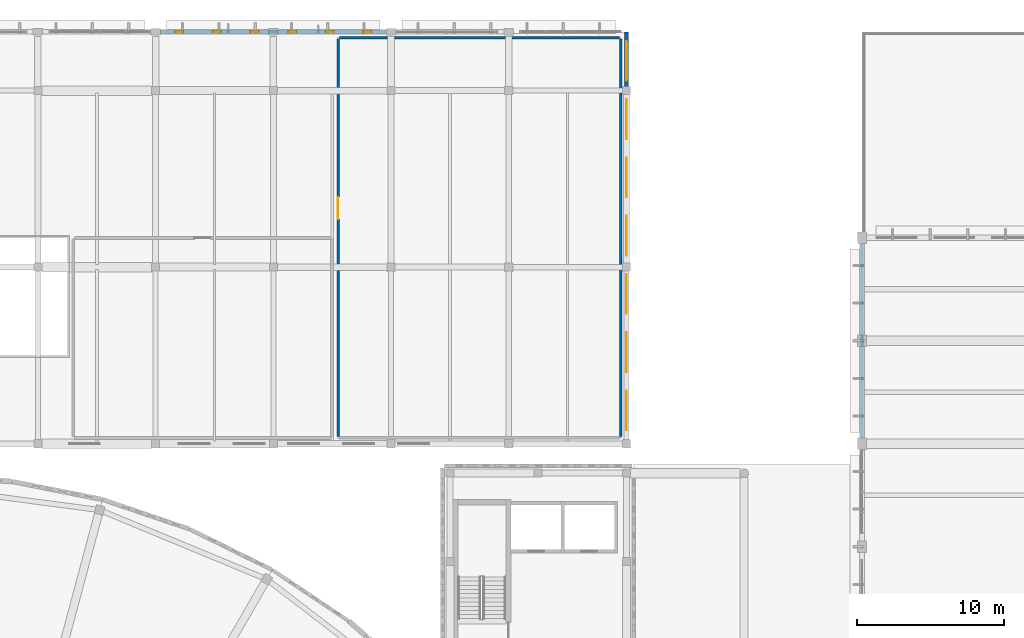
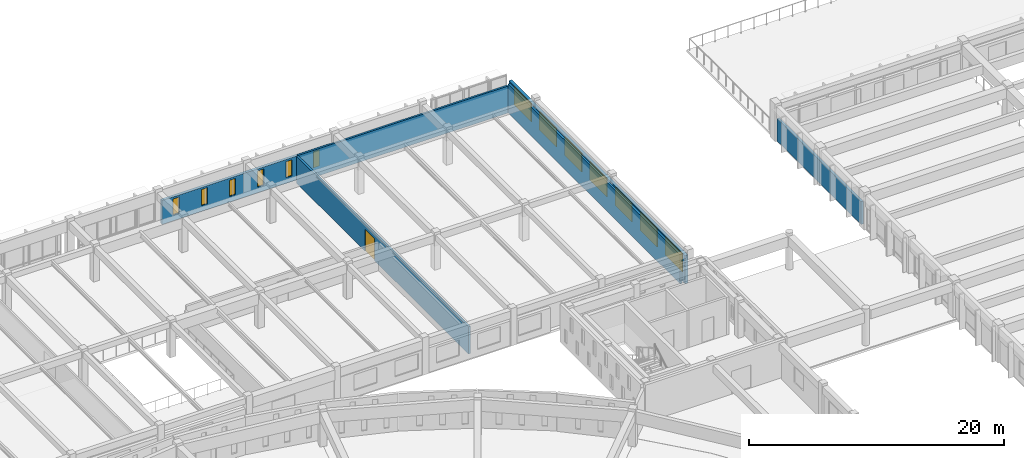
# One storey, part 122 of 155: 13 windows, 6 walls, 1 door, 14 openings.
"""IFC4 building model written with IfcOpenShell, lengths in metres."""

from ifc_helpers import new_model, si_unit, direction, frame, frame_2d, origin, place, context, subcontext, project, spatial, rectangle, extrude, material, layer, layer_set, type_object, element, fill, save


model = new_model("IFC4")

# Units and contexts
model_context = context("Model", 3, precision=1e-05, world=origin(), true_north=direction((0.0, 1.0)))
body_context = subcontext(model_context, "Body", "Model", "MODEL_VIEW")
ifc_project = project(units=[si_unit("LENGTHUNIT", "METRE"), si_unit("AREAUNIT", "SQUARE_METRE"), si_unit("VOLUMEUNIT", "CUBIC_METRE"), si_unit("PLANEANGLEUNIT", "RADIAN"), si_unit("MASSUNIT", "GRAM", prefix="KILO")], contexts=[model_context])

# Site, building, storey
site_placement = place(None, origin())
site = spatial("IfcSite", under=ifc_project, at=site_placement, CompositionType="ELEMENT")
building_placement = place(site_placement, origin())
building = spatial("IfcBuilding", under=site, at=building_placement, Name="Larkveld Mobility Hub", CompositionType="ELEMENT")
storey_placement = place(building_placement, frame((0.0, 0.0, 8.39990234375)))
storey = spatial("IfcBuildingStorey", under=building, at=storey_placement, Name="L02", CompositionType="ELEMENT", Elevation=8.39990234375)

# Wall
ifc_material_1 = material(Name="Glazed architectural ceramic masonry 20 MPa", Category="masonry")
ifc_layer_1 = layer(ifc_material_1, 0.2099609375, Name="Glazed architectural ceramic masonry 20 MPa", Category="masonry")
ifc_layer_set_1 = layer_set([ifc_layer_1], Name="Glazed architectural ceramic masonry 20 MPa")
wall_type_1 = type_object("IfcWallType", Name="WL-COB-210", PredefinedType="USERDEFINED", material=ifc_layer_set_1)
wall_1_placement = place(storey_placement, frame((112.0, 111.590087890625, 0.0), z_axis=(0.0, 0.0, 1.0), x_axis=(0.0, -1.0, 0.0)))
element("IfcWall", 1, at=wall_1_placement, inside=storey, type_object=wall_type_1, Name="EV Wing West Ventilated Facade L02-0232", ObjectType="CERAMIC COBOGO SCREEN", PredefinedType="USERDEFINED", context=body_context, shape_type="SweptSolid", body=[
    extrude(rectangle(XDim=13.18017578125, YDim=0.2099609375, at=frame_2d((6.590087890625, 0.0))), origin(), (0.0, 0.0, 1.0), 2.195068359375),
])

# Wall, openings, windows
ifc_layer_2 = layer(ifc_material_1, 0.2451171875, Name="Glazed architectural ceramic masonry 20 MPa", Category="masonry")
ifc_layer_set_2 = layer_set([ifc_layer_2], Name="Glazed architectural ceramic masonry 20 MPa")
wall_type_2 = type_object("IfcWallType", Name="WL-COB-245", PredefinedType="USERDEFINED", material=ifc_layer_set_2)
wall_2_placement = place(storey_placement, frame((79.6650390625, 126.0, 0.0), z_axis=(0.0, 0.0, 1.0), x_axis=(-1.0, 0.0, 0.0)))
wall_2 = element("IfcWall", 2, at=wall_2_placement, inside=storey, type_object=wall_type_2, Name="Bicycle Hall Ceramic Cobogo Screen L02-0194", ObjectType="CERAMIC COBOGO SCREEN", PredefinedType="USERDEFINED", context=body_context, shape_type="SweptSolid", body=[
    extrude(rectangle(XDim=15.330078125, YDim=0.2451171875, at=frame_2d((7.6650390625, 0.0))), origin(), (0.0, 0.0, 1.0), 2.295166015625),
])
opening_1_placement = place(wall_2_placement, frame((0.998046875, 0.0, 0.544921875)))
opening_1 = element("IfcOpeningElement", 3, at=opening_1_placement, cuts=wall_2, Name="Opening W04", PredefinedType="OPENING", context=body_context, shape_type="SweptSolid", body=[
    extrude(rectangle(XDim=0.56005859375, YDim=1.550048828125, at=frame_2d((0.280029296875, 0.77490234375))), frame((0.0, 0.132568359375, 0.0), z_axis=(0.0, -1.0, 0.0), x_axis=(1.0, 0.0, 0.0)), (0.0, 0.0, 1.0), 0.26513671875),
])
opening_2_placement = place(wall_2_placement, frame((3.552978515625, 0.0, 0.544921875)))
opening_2 = element("IfcOpeningElement", 4, at=opening_2_placement, cuts=wall_2, Name="Opening W04", PredefinedType="OPENING", context=body_context, shape_type="SweptSolid", body=[
    extrude(rectangle(XDim=0.56005859375, YDim=1.550048828125, at=frame_2d((0.280029296875, 0.77490234375))), frame((0.0, 0.132568359375, 0.0), z_axis=(0.0, -1.0, 0.0), x_axis=(1.0, 0.0, 0.0)), (0.0, 0.0, 1.0), 0.26513671875),
])
opening_3_placement = place(wall_2_placement, frame((6.10791015625, 0.0, 0.544921875)))
opening_3 = element("IfcOpeningElement", 5, at=opening_3_placement, cuts=wall_2, Name="Opening W04", PredefinedType="OPENING", context=body_context, shape_type="SweptSolid", body=[
    extrude(rectangle(XDim=0.56005859375, YDim=1.550048828125, at=frame_2d((0.280029296875, 0.77490234375))), frame((0.0, 0.132568359375, 0.0), z_axis=(0.0, -1.0, 0.0), x_axis=(1.0, 0.0, 0.0)), (0.0, 0.0, 1.0), 0.26513671875),
])
opening_4_placement = place(wall_2_placement, frame((8.6630859375, 0.0, 0.544921875)))
opening_4 = element("IfcOpeningElement", 6, at=opening_4_placement, cuts=wall_2, Name="Opening W04", PredefinedType="OPENING", context=body_context, shape_type="SweptSolid", body=[
    extrude(rectangle(XDim=0.56005859375, YDim=1.550048828125, at=frame_2d((0.280029296875, 0.77490234375))), frame((0.0, 0.132568359375, 0.0), z_axis=(0.0, -1.0, 0.0), x_axis=(1.0, 0.0, 0.0)), (0.0, 0.0, 1.0), 0.26513671875),
])
opening_5_placement = place(wall_2_placement, frame((11.218017578125, 0.0, 0.544921875)))
opening_5 = element("IfcOpeningElement", 7, at=opening_5_placement, cuts=wall_2, Name="Opening W04", PredefinedType="OPENING", context=body_context, shape_type="SweptSolid", body=[
    extrude(rectangle(XDim=0.56005859375, YDim=1.550048828125, at=frame_2d((0.280029296875, 0.77490234375))), frame((0.0, 0.132568359375, 0.0), z_axis=(0.0, -1.0, 0.0), x_axis=(1.0, 0.0, 0.0)), (0.0, 0.0, 1.0), 0.26513671875),
])
opening_6_placement = place(wall_2_placement, frame((13.77294921875, 0.0, 0.544921875)))
opening_6 = element("IfcOpeningElement", 8, at=opening_6_placement, cuts=wall_2, Name="Opening W04", PredefinedType="OPENING", context=body_context, shape_type="SweptSolid", body=[
    extrude(rectangle(XDim=0.56005859375, YDim=1.550048828125, at=frame_2d((0.280029296875, 0.77490234375))), frame((0.0, 0.132568359375, 0.0), z_axis=(0.0, -1.0, 0.0), x_axis=(1.0, 0.0, 0.0)), (0.0, 0.0, 1.0), 0.26513671875),
])
ifc_material_2 = material(Name="Extruded aluminium cobogo vent frame", Category="aluminium")
window_type_1 = type_object("IfcWindowType", Name="WN-VENT-04", PartitioningType="SINGLE_PANEL", PredefinedType="WINDOW", material=ifc_material_2)
window_1_placement = place(opening_1_placement, origin())
window_1 = element("IfcWindow", 9, at=window_1_placement, inside=storey, type_object=window_type_1, Name="Window W04 (0927)", OverallHeight=1.550048828125, OverallWidth=0.56005859375, PartitioningType="SINGLE_PANEL", PredefinedType="WINDOW", context=body_context, shape_type="SweptSolid", body=[
    extrude(rectangle(XDim=0.56005859375, YDim=1.550048828125, at=frame_2d((0.280029296875, 0.77490234375))), frame((0.0, 0.030029296875, 0.0), z_axis=(0.0, -1.0, 0.0), x_axis=(1.0, 0.0, 0.0)), (0.0, 0.0, 1.0), 0.06005859375),
])
fill(opening_1, window_1)
window_2_placement = place(opening_2_placement, origin())
window_2 = element("IfcWindow", 10, at=window_2_placement, inside=storey, type_object=window_type_1, Name="Window W04 (0928)", OverallHeight=1.550048828125, OverallWidth=0.56005859375, PartitioningType="SINGLE_PANEL", PredefinedType="WINDOW", context=body_context, shape_type="SweptSolid", body=[
    extrude(rectangle(XDim=0.56005859375, YDim=1.550048828125, at=frame_2d((0.280029296875, 0.77490234375))), frame((0.0, 0.030029296875, 0.0), z_axis=(0.0, -1.0, 0.0), x_axis=(1.0, 0.0, 0.0)), (0.0, 0.0, 1.0), 0.06005859375),
])
fill(opening_2, window_2)
window_3_placement = place(opening_3_placement, origin())
window_3 = element("IfcWindow", 11, at=window_3_placement, inside=storey, type_object=window_type_1, Name="Window W04 (0929)", OverallHeight=1.550048828125, OverallWidth=0.56005859375, PartitioningType="SINGLE_PANEL", PredefinedType="WINDOW", context=body_context, shape_type="SweptSolid", body=[
    extrude(rectangle(XDim=0.56005859375, YDim=1.550048828125, at=frame_2d((0.280029296875, 0.77490234375))), frame((0.0, 0.030029296875, 0.0), z_axis=(0.0, -1.0, 0.0), x_axis=(1.0, 0.0, 0.0)), (0.0, 0.0, 1.0), 0.06005859375),
])
fill(opening_3, window_3)
window_4_placement = place(opening_4_placement, origin())
window_4 = element("IfcWindow", 12, at=window_4_placement, inside=storey, type_object=window_type_1, Name="Window W04 (0930)", OverallHeight=1.550048828125, OverallWidth=0.56005859375, PartitioningType="SINGLE_PANEL", PredefinedType="WINDOW", context=body_context, shape_type="SweptSolid", body=[
    extrude(rectangle(XDim=0.56005859375, YDim=1.550048828125, at=frame_2d((0.280029296875, 0.77490234375))), frame((0.0, 0.030029296875, 0.0), z_axis=(0.0, -1.0, 0.0), x_axis=(1.0, 0.0, 0.0)), (0.0, 0.0, 1.0), 0.06005859375),
])
fill(opening_4, window_4)
window_5_placement = place(opening_5_placement, origin())
window_5 = element("IfcWindow", 13, at=window_5_placement, inside=storey, type_object=window_type_1, Name="Window W04 (0931)", OverallHeight=1.550048828125, OverallWidth=0.56005859375, PartitioningType="SINGLE_PANEL", PredefinedType="WINDOW", context=body_context, shape_type="SweptSolid", body=[
    extrude(rectangle(XDim=0.56005859375, YDim=1.550048828125, at=frame_2d((0.280029296875, 0.77490234375))), frame((0.0, 0.030029296875, 0.0), z_axis=(0.0, -1.0, 0.0), x_axis=(1.0, 0.0, 0.0)), (0.0, 0.0, 1.0), 0.06005859375),
])
fill(opening_5, window_5)
window_6_placement = place(opening_6_placement, origin())
window_6 = element("IfcWindow", 14, at=window_6_placement, inside=storey, type_object=window_type_1, Name="Window W04 (0932)", OverallHeight=1.550048828125, OverallWidth=0.56005859375, PartitioningType="SINGLE_PANEL", PredefinedType="WINDOW", context=body_context, shape_type="SweptSolid", body=[
    extrude(rectangle(XDim=0.56005859375, YDim=1.550048828125, at=frame_2d((0.280029296875, 0.77490234375))), frame((0.0, 0.030029296875, 0.0), z_axis=(0.0, -1.0, 0.0), x_axis=(1.0, 0.0, 0.0)), (0.0, 0.0, 1.0), 0.06005859375),
])
fill(opening_6, window_6)

ifc_material_3 = material(Name="Precast concrete C50/60", Category="concrete")
ifc_layer_3 = layer(ifc_material_3, 0.27001953125, Name="Precast concrete C50/60", Category="concrete")
ifc_layer_set_3 = layer_set([ifc_layer_3], Name="Precast concrete C50/60")
wall_type_3 = type_object("IfcWallType", Name="WL-EXT-270", PredefinedType="SOLIDWALL", material=ifc_layer_set_3)
wall_3_placement = place(storey_placement, frame((96.0, 98.284912109375, 0.0), z_axis=(0.0, 0.0, 1.0), x_axis=(0.0, 1.0, 0.0)))
wall_3 = element("IfcWall", 15, at=wall_3_placement, inside=storey, type_object=wall_type_3, Name="Bicycle Hall East End Wall L02-0197", PredefinedType="SOLIDWALL", context=body_context, shape_type="SweptSolid", body=[
    extrude(rectangle(XDim=27.715087890625, YDim=0.27001953125, at=frame_2d((13.857421875, 0.0))), origin(), (0.0, 0.0, 1.0), 2.695068359375),
])
opening_7_placement = place(wall_3_placement, frame((0.6298828125, 0.0, 0.695068359375)))
opening_7 = element("IfcOpeningElement", 16, at=opening_7_placement, cuts=wall_3, Name="Opening W15", PredefinedType="OPENING", context=body_context, shape_type="SweptSolid", body=[
    extrude(rectangle(XDim=2.699951171875, YDim=1.800048828125, at=frame_2d((1.35009765625, 0.89990234375))), frame((0.0, 0.14501953125, 0.0), z_axis=(0.0, -1.0, 0.0), x_axis=(1.0, 0.0, 0.0)), (0.0, 0.0, 1.0), 0.2900390625),
])
opening_8_placement = place(wall_3_placement, frame((4.589111328125, 0.0, 0.695068359375)))
opening_8 = element("IfcOpeningElement", 17, at=opening_8_placement, cuts=wall_3, Name="Opening W15", PredefinedType="OPENING", context=body_context, shape_type="SweptSolid", body=[
    extrude(rectangle(XDim=2.699951171875, YDim=1.800048828125, at=frame_2d((1.35009765625, 0.89990234375))), frame((0.0, 0.14501953125, 0.0), z_axis=(0.0, -1.0, 0.0), x_axis=(1.0, 0.0, 0.0)), (0.0, 0.0, 1.0), 0.2900390625),
])
opening_9_placement = place(wall_3_placement, frame((8.548095703125, 0.0, 0.695068359375)))
opening_9 = element("IfcOpeningElement", 18, at=opening_9_placement, cuts=wall_3, Name="Opening W15", PredefinedType="OPENING", context=body_context, shape_type="SweptSolid", body=[
    extrude(rectangle(XDim=2.699951171875, YDim=1.800048828125, at=frame_2d((1.35009765625, 0.89990234375))), frame((0.0, 0.14501953125, 0.0), z_axis=(0.0, -1.0, 0.0), x_axis=(1.0, 0.0, 0.0)), (0.0, 0.0, 1.0), 0.2900390625),
])
opening_10_placement = place(wall_3_placement, frame((12.508056640625, 0.0, 0.695068359375)))
opening_10 = element("IfcOpeningElement", 19, at=opening_10_placement, cuts=wall_3, Name="Opening W15", PredefinedType="OPENING", context=body_context, shape_type="SweptSolid", body=[
    extrude(rectangle(XDim=2.699951171875, YDim=1.800048828125, at=frame_2d((1.35009765625, 0.89990234375))), frame((0.0, 0.14501953125, 0.0), z_axis=(0.0, -1.0, 0.0), x_axis=(1.0, 0.0, 0.0)), (0.0, 0.0, 1.0), 0.2900390625),
])
opening_11_placement = place(wall_3_placement, frame((16.467041015625, 0.0, 0.695068359375)))
opening_11 = element("IfcOpeningElement", 20, at=opening_11_placement, cuts=wall_3, Name="Opening W15", PredefinedType="OPENING", context=body_context, shape_type="SweptSolid", body=[
    extrude(rectangle(XDim=2.699951171875, YDim=1.800048828125, at=frame_2d((1.35009765625, 0.89990234375))), frame((0.0, 0.14501953125, 0.0), z_axis=(0.0, -1.0, 0.0), x_axis=(1.0, 0.0, 0.0)), (0.0, 0.0, 1.0), 0.2900390625),
])
opening_12_placement = place(wall_3_placement, frame((20.426025390625, 0.0, 0.695068359375)))
opening_12 = element("IfcOpeningElement", 21, at=opening_12_placement, cuts=wall_3, Name="Opening W15", PredefinedType="OPENING", context=body_context, shape_type="SweptSolid", body=[
    extrude(rectangle(XDim=2.699951171875, YDim=1.800048828125, at=frame_2d((1.35009765625, 0.89990234375))), frame((0.0, 0.14501953125, 0.0), z_axis=(0.0, -1.0, 0.0), x_axis=(1.0, 0.0, 0.0)), (0.0, 0.0, 1.0), 0.2900390625),
])
opening_13_placement = place(wall_3_placement, frame((24.385009765625, 0.0, 0.695068359375)))
opening_13 = element("IfcOpeningElement", 22, at=opening_13_placement, cuts=wall_3, Name="Opening W15", PredefinedType="OPENING", context=body_context, shape_type="SweptSolid", body=[
    extrude(rectangle(XDim=2.699951171875, YDim=1.800048828125, at=frame_2d((1.35009765625, 0.89990234375))), frame((0.0, 0.14501953125, 0.0), z_axis=(0.0, -1.0, 0.0), x_axis=(1.0, 0.0, 0.0)), (0.0, 0.0, 1.0), 0.2900390625),
])
ifc_material_4 = material(Name="Low-E double glazing in aluminium frame", Category="aluminium")
window_type_2 = type_object("IfcWindowType", Name="WN-ALU-15", PartitioningType="SINGLE_PANEL", PredefinedType="WINDOW", material=ifc_material_4)
window_7_placement = place(opening_7_placement, origin())
window_7 = element("IfcWindow", 23, at=window_7_placement, inside=storey, type_object=window_type_2, Name="Window W15 (0952)", OverallHeight=1.800048828125, OverallWidth=2.699951171875, PartitioningType="SINGLE_PANEL", PredefinedType="WINDOW", context=body_context, shape_type="SweptSolid", body=[
    extrude(rectangle(XDim=2.699951171875, YDim=1.800048828125, at=frame_2d((1.35009765625, 0.89990234375))), frame((0.0, 0.030029296875, 0.0), z_axis=(0.0, -1.0, 0.0), x_axis=(1.0, 0.0, 0.0)), (0.0, 0.0, 1.0), 0.06005859375),
])
fill(opening_7, window_7)
window_8_placement = place(opening_8_placement, origin())
window_8 = element("IfcWindow", 24, at=window_8_placement, inside=storey, type_object=window_type_2, Name="Window W15 (0953)", OverallHeight=1.800048828125, OverallWidth=2.699951171875, PartitioningType="SINGLE_PANEL", PredefinedType="WINDOW", context=body_context, shape_type="SweptSolid", body=[
    extrude(rectangle(XDim=2.699951171875, YDim=1.800048828125, at=frame_2d((1.35009765625, 0.89990234375))), frame((0.0, 0.030029296875, 0.0), z_axis=(0.0, -1.0, 0.0), x_axis=(1.0, 0.0, 0.0)), (0.0, 0.0, 1.0), 0.06005859375),
])
fill(opening_8, window_8)
window_9_placement = place(opening_9_placement, origin())
window_9 = element("IfcWindow", 25, at=window_9_placement, inside=storey, type_object=window_type_2, Name="Window W15 (0954)", OverallHeight=1.800048828125, OverallWidth=2.699951171875, PartitioningType="SINGLE_PANEL", PredefinedType="WINDOW", context=body_context, shape_type="SweptSolid", body=[
    extrude(rectangle(XDim=2.699951171875, YDim=1.800048828125, at=frame_2d((1.35009765625, 0.89990234375))), frame((0.0, 0.030029296875, 0.0), z_axis=(0.0, -1.0, 0.0), x_axis=(1.0, 0.0, 0.0)), (0.0, 0.0, 1.0), 0.06005859375),
])
fill(opening_9, window_9)
window_10_placement = place(opening_10_placement, origin())
window_10 = element("IfcWindow", 26, at=window_10_placement, inside=storey, type_object=window_type_2, Name="Window W15 (0955)", OverallHeight=1.800048828125, OverallWidth=2.699951171875, PartitioningType="SINGLE_PANEL", PredefinedType="WINDOW", context=body_context, shape_type="SweptSolid", body=[
    extrude(rectangle(XDim=2.699951171875, YDim=1.800048828125, at=frame_2d((1.35009765625, 0.89990234375))), frame((0.0, 0.030029296875, 0.0), z_axis=(0.0, -1.0, 0.0), x_axis=(1.0, 0.0, 0.0)), (0.0, 0.0, 1.0), 0.06005859375),
])
fill(opening_10, window_10)
window_11_placement = place(opening_11_placement, origin())
window_11 = element("IfcWindow", 27, at=window_11_placement, inside=storey, type_object=window_type_2, Name="Window W15 (0956)", OverallHeight=1.800048828125, OverallWidth=2.699951171875, PartitioningType="SINGLE_PANEL", PredefinedType="WINDOW", context=body_context, shape_type="SweptSolid", body=[
    extrude(rectangle(XDim=2.699951171875, YDim=1.800048828125, at=frame_2d((1.35009765625, 0.89990234375))), frame((0.0, 0.030029296875, 0.0), z_axis=(0.0, -1.0, 0.0), x_axis=(1.0, 0.0, 0.0)), (0.0, 0.0, 1.0), 0.06005859375),
])
fill(opening_11, window_11)
window_12_placement = place(opening_12_placement, origin())
window_12 = element("IfcWindow", 28, at=window_12_placement, inside=storey, type_object=window_type_2, Name="Window W15 (0957)", OverallHeight=1.800048828125, OverallWidth=2.699951171875, PartitioningType="SINGLE_PANEL", PredefinedType="WINDOW", context=body_context, shape_type="SweptSolid", body=[
    extrude(rectangle(XDim=2.699951171875, YDim=1.800048828125, at=frame_2d((1.35009765625, 0.89990234375))), frame((0.0, 0.030029296875, 0.0), z_axis=(0.0, -1.0, 0.0), x_axis=(1.0, 0.0, 0.0)), (0.0, 0.0, 1.0), 0.06005859375),
])
fill(opening_12, window_12)
window_13_placement = place(opening_13_placement, origin())
window_13 = element("IfcWindow", 29, at=window_13_placement, inside=storey, type_object=window_type_2, Name="Window W15 (0958)", OverallHeight=1.800048828125, OverallWidth=2.699951171875, PartitioningType="SINGLE_PANEL", PredefinedType="WINDOW", context=body_context, shape_type="SweptSolid", body=[
    extrude(rectangle(XDim=2.699951171875, YDim=1.800048828125, at=frame_2d((1.35009765625, 0.89990234375))), frame((0.0, 0.030029296875, 0.0), z_axis=(0.0, -1.0, 0.0), x_axis=(1.0, 0.0, 0.0)), (0.0, 0.0, 1.0), 0.06005859375),
])
fill(opening_13, window_13)

# Wall
ifc_material_5 = material(Name="Concrete blockwork masonry 14 MPa", Category="masonry")
ifc_layer_4 = layer(ifc_material_5, 0.175048828125, Name="Concrete blockwork masonry 14 MPa", Category="masonry")
ifc_layer_set_4 = layer_set([ifc_layer_4], Name="Concrete blockwork masonry 14 MPa")
wall_type_4 = type_object("IfcWallType", Name="WL-PRT-175", PredefinedType="PARTITIONING", material=ifc_layer_set_4)
wall_4_placement = place(storey_placement, frame((76.47998046875, 125.596923828125, 0.0), z_axis=(0.0, 0.0, 1.0), x_axis=(1.0, 0.0, 0.0)))
element("IfcWall", 30, at=wall_4_placement, inside=storey, type_object=wall_type_4, Name="Bicycle Terrace Cafe and Repair Bar Partition 0140", PredefinedType="PARTITIONING", context=body_context, shape_type="SweptSolid", body=[
    extrude(rectangle(XDim=19.037109375, YDim=0.175048828125, at=frame_2d((9.5185546875, 0.0))), origin(), (0.0, 0.0, 1.0), 2.59521484375),
])

# Wall, opening, door
wall_5_placement = place(storey_placement, frame((76.39990234375, 98.47998046875, 0.0), z_axis=(0.0, 0.0, 1.0), x_axis=(0.0, 1.0, 0.0)))
wall_5 = element("IfcWall", 31, at=wall_5_placement, inside=storey, type_object=wall_type_4, Name="Bicycle Terrace Cafe and Repair Bar Partition 0141", PredefinedType="PARTITIONING", context=body_context, shape_type="SweptSolid", body=[
    extrude(rectangle(XDim=27.037109375, YDim=0.175048828125, at=frame_2d((13.5185546875, 0.0))), origin(), (0.0, 0.0, 1.0), 2.59521484375),
])
opening_14_placement = place(wall_5_placement, frame((14.787109375, 0.0, 0.0)))
opening_14 = element("IfcOpeningElement", 32, at=opening_14_placement, cuts=wall_5, Name="Opening DI12", PredefinedType="OPENING", context=body_context, shape_type="SweptSolid", body=[
    extrude(rectangle(XDim=1.5, YDim=2.10009765625, at=frame_2d((0.75, 1.050048828125))), frame((0.0, 0.09765625, 0.0), z_axis=(0.0, -1.0, 0.0), x_axis=(1.0, 0.0, 0.0)), (0.0, 0.0, 1.0), 0.195068359375),
])
ifc_material_6 = material(Name="Solid-core hardwood timber door in aluminium frame", Category="wood")
door_type = type_object("IfcDoorType", Name="DR-INT-150", OperationType="NOTDEFINED", PredefinedType="DOOR", material=ifc_material_6)
door_placement = place(opening_14_placement, origin())
door = element("IfcDoor", 33, at=door_placement, inside=storey, type_object=door_type, Name="Bicycle Terrace Cafe and Repair Bar Door 0036", OperationType="DOUBLE_DOOR_SINGLE_SWING", OverallHeight=2.10009765625, OverallWidth=1.5, PredefinedType="DOOR", context=body_context, shape_type="SweptSolid", body=[
    extrude(rectangle(XDim=1.5, YDim=2.10009765625, at=frame_2d((0.75, 1.050048828125))), frame((0.0, 0.02490234375, 0.0), z_axis=(0.0, -1.0, 0.0), x_axis=(1.0, 0.0, 0.0)), (0.0, 0.0, 1.0), 0.050048828125),
])
fill(opening_14, door)

# Wall
wall_6_placement = place(storey_placement, frame((95.596923828125, 98.47998046875, 0.0), z_axis=(0.0, 0.0, 1.0), x_axis=(0.0, 1.0, 0.0)))
element("IfcWall", 34, at=wall_6_placement, inside=storey, type_object=wall_type_4, Name="Bicycle Terrace Cafe and Repair Bar Partition 0142", PredefinedType="PARTITIONING", context=body_context, shape_type="SweptSolid", body=[
    extrude(rectangle(XDim=27.037109375, YDim=0.175048828125, at=frame_2d((13.5185546875, 0.0))), origin(), (0.0, 0.0, 1.0), 2.795166015625),
])

save(model, "model.ifc")
